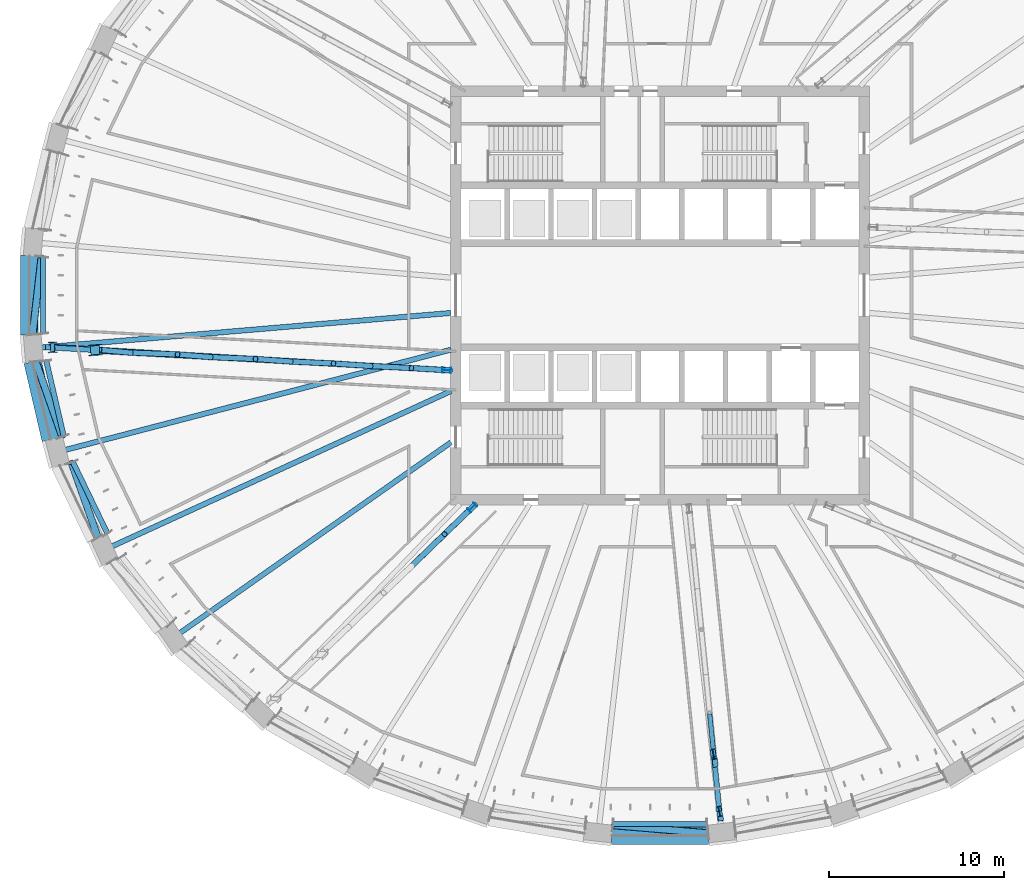
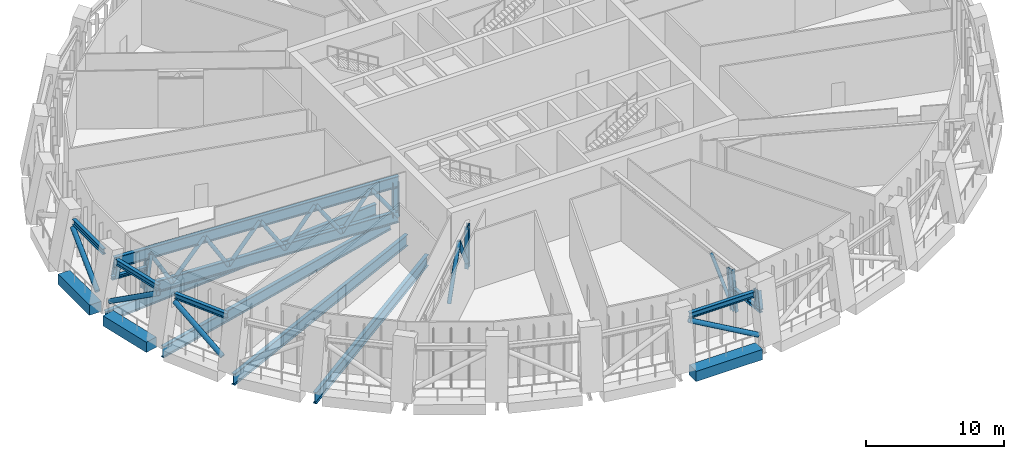
# One storey, part 2 of 22: 30 members, 7 beams.
"""IFC4 building model written with IfcOpenShell, lengths in metres."""

import ifcopenshell
import ifcopenshell.guid

model = None  # the IFC model being written
_history = None  # IfcOwnerHistory: only IFC2X3 demands one
_inside = {}  # id of a spatial element -> (the spatial element, [elements in it])
_under = {}  # id of a project, library or spatial element -> (it, [spatial elements below it])
_declared = {}  # id of a project -> (the project, [libraries it declares])
_typed = {}  # id of a type object -> (the type object, [elements of that type])
_made_of = {}  # id of a material, layer set ... -> (it, [elements and type objects made of it])


def new_model(schema):
    """Start an empty IFC model of exactly this schema.

    Asked for "IFC4X3", IfcOpenShell would pick the latest addendum, in which some entities
    have other attributes; the version numbers below select the first issue.
    IFC2X3 requires an IfcOwnerHistory on every rooted entity: one is made here for all.
    """
    global model, _history
    if schema == "IFC4X3":
        model = ifcopenshell.file(schema_version=(4, 3, 0, 0))
    else:
        model = ifcopenshell.file(schema=schema)
    _inside.clear()
    _under.clear()
    _declared.clear()
    _typed.clear()
    _made_of.clear()
    _history = None
    if model.schema == "IFC2X3":
        org = make("IfcOrganization", Name="unknown")
        user = make(
            "IfcPersonAndOrganization",
            ThePerson=make("IfcPerson", FamilyName="unknown"),
            TheOrganization=org,
        )
        app = make(
            "IfcApplication",
            ApplicationDeveloper=org,
            Version="unknown",
            ApplicationFullName="unknown",
            ApplicationIdentifier="unknown",
        )
        _history = make(
            "IfcOwnerHistory",
            OwningUser=user,
            OwningApplication=app,
            ChangeAction="ADDED",
            CreationDate=0,
        )
    return model


def make(cls, **values):
    """One entity of the class cls with the attributes given. An attribute that is None is left unset."""
    return model.create_entity(
        cls, **{name: value for name, value in values.items() if value is not None}
    )


def rooted(cls, **values):
    """An entity with a GlobalId (a new one), such as an element, a storey or a relation."""
    return make(cls, GlobalId=ifcopenshell.guid.new(), OwnerHistory=_history, **values)


def si_unit(unit_type, name, prefix=None):
    """IfcSIUnit, for example si_unit("LENGTHUNIT", "METRE", prefix="MILLI")."""
    return make("IfcSIUnit", UnitType=unit_type, Prefix=prefix, Name=name)


def assignment(units):
    """IfcUnitAssignment: the units of a project."""
    return None if units is None else make("IfcUnitAssignment", Units=units)


def point(xyz):
    """IfcCartesianPoint."""
    return None if xyz is None else make("IfcCartesianPoint", Coordinates=xyz)


def direction(xyz):
    """IfcDirection."""
    return None if xyz is None else make("IfcDirection", DirectionRatios=xyz)


def frame(location, z_axis=None, x_axis=None):
    """IfcAxis2Placement3D, a coordinate frame: its origin and axes. An axis left out is left unset."""
    return make(
        "IfcAxis2Placement3D",
        Location=point(location),
        Axis=direction(z_axis),
        RefDirection=direction(x_axis),
    )


def frame_2d(location, x_axis=None):
    """IfcAxis2Placement2D, a coordinate frame in the plane: its origin and x axis."""
    return make(
        "IfcAxis2Placement2D", Location=point(location), RefDirection=direction(x_axis)
    )


def origin():
    """The frame at (0, 0, 0) with its axes left unset."""
    return frame((0.0, 0.0, 0.0))


def origin_2d():
    """The frame at (0, 0) in the plane with its x axis left unset."""
    return frame_2d((0.0, 0.0))


def place(relative_to, where):
    """IfcLocalPlacement: puts the frame where relative to a parent placement (None: the world)."""
    return make(
        "IfcLocalPlacement", PlacementRelTo=relative_to, RelativePlacement=where
    )


def context(
    kind, dimensions, precision=None, world=None, true_north=None, identifier=None
):
    """IfcGeometricRepresentationContext, for example the 3D "Model" context."""
    return make(
        "IfcGeometricRepresentationContext",
        ContextIdentifier=identifier,
        ContextType=kind,
        CoordinateSpaceDimension=dimensions,
        Precision=precision,
        WorldCoordinateSystem=world,
        TrueNorth=true_north,
    )


def subcontext(parent, identifier, kind, view, scale=None):
    """IfcGeometricRepresentationSubContext, for example "Body" below "Model"."""
    return make(
        "IfcGeometricRepresentationSubContext",
        ContextIdentifier=identifier,
        ContextType=kind,
        ParentContext=parent,
        TargetScale=scale,
        TargetView=view,
    )


def project(units=None, contexts=None):
    """IfcProject with its units and contexts."""
    return rooted(
        "IfcProject",
        Name="project",
        RepresentationContexts=contexts,
        UnitsInContext=assignment(units),
    )


def spatial(cls, under=None, at=None, **own):
    """A site, building, storey or space (cls), placed at a placement, below another one or the project."""
    s = rooted(cls, ObjectPlacement=at, **own)
    if under is not None:
        _under.setdefault(under.id(), (under, []))[1].append(s)
    return s


def profile(cls, at=None, kind="AREA", **sizes):
    """A parametric profile (cls). Its sizes go by their IFC names, for example OverallWidth=200.0."""
    return make(cls, ProfileType=kind, Position=at, **sizes)


def rectangle(**sizes):
    """IfcRectangleProfileDef."""
    return profile("IfcRectangleProfileDef", **sizes)


def hollow_circle(**sizes):
    """IfcCircleHollowProfileDef."""
    return profile("IfcCircleHollowProfileDef", **sizes)


def i_section(**sizes):
    """IfcIShapeProfileDef."""
    return profile("IfcIShapeProfileDef", **sizes)


def extrude(swept, where, along, depth):
    """IfcExtrudedAreaSolid: the profile swept, set in the frame where, extruded along a direction by depth."""
    return make(
        "IfcExtrudedAreaSolid",
        SweptArea=swept,
        Position=where,
        ExtrudedDirection=direction(along),
        Depth=depth,
    )


def shape(context_of_items, identifier, shape_type, items):
    """IfcShapeRepresentation: the items that make up one representation, for example the "Body"."""
    return make(
        "IfcShapeRepresentation",
        ContextOfItems=context_of_items,
        RepresentationIdentifier=identifier,
        RepresentationType=shape_type,
        Items=items,
    )


def material(Name=None, Category=None):
    """IfcMaterial."""
    return make("IfcMaterial", Name=Name, Category=Category)


def material_profile(
    of_material, cross_section, Name=None, Category=None, Priority=None
):
    """IfcMaterialProfile: a cross section and its material."""
    return make(
        "IfcMaterialProfile",
        Name=Name,
        Material=of_material,
        Profile=cross_section,
        Priority=Priority,
        Category=Category,
    )


def profile_set(profiles, Name=None, composite=None):
    """IfcMaterialProfileSet."""
    return make(
        "IfcMaterialProfileSet",
        Name=Name,
        MaterialProfiles=profiles,
        CompositeProfile=composite,
    )


def made_of(thing, what):
    """Note that an element or type object is made of a material, layer set ...; save() writes the relation."""
    if what is not None:
        _made_of.setdefault(what.id(), (what, []))[1].append(thing)
    return thing


def type_object(cls, material=None, **own):
    """A type object (cls), such as IfcWallType, which elements share."""
    return made_of(rooted(cls, **own), material)


def element(
    cls,
    number,
    at=None,
    inside=None,
    cuts=None,
    type_object=None,
    material=None,
    context=None,
    identifier="Body",
    shape_type=None,
    held_by="IfcProductDefinitionShape",
    body=None,
    shapes=None,
    **own,
):
    """One element of the class cls, such as IfcWall. Its Tag is "e" and its number.

    at: its placement. inside: the storey or other place that contains it. cuts: it is an
    opening in that element (IfcRelVoidsElement). A single representation is given by context,
    identifier, shape_type and body (its items); several are given by shapes. held_by: the class
    of the entity that holds the representations. save() writes the other relations.
    """
    e = rooted(cls, Tag="e%d" % number, ObjectPlacement=at, **own)
    if body is not None:
        shapes = [shape(context, identifier, shape_type, body)]
    if shapes is not None:
        e.Representation = make(held_by, Representations=shapes)
    if inside is not None:
        _inside.setdefault(inside.id(), (inside, []))[1].append(e)
    if cuts is not None:
        rooted(
            "IfcRelVoidsElement", RelatingBuildingElement=cuts, RelatedOpeningElement=e
        )
    if type_object is not None:
        _typed.setdefault(type_object.id(), (type_object, []))[1].append(e)
    return made_of(e, material)


def aggregate(whole, parts):
    """IfcRelAggregates: a whole, such as a stair, and the parts it consists of."""
    return rooted("IfcRelAggregates", RelatingObject=whole, RelatedObjects=parts)


def save(model, path):
    """Write the relations noted so far, then the file.

    IfcRelAggregates (storeys below a building ...), IfcRelContainedInSpatialStructure (elements
    in a storey), IfcRelDefinesByType, IfcRelAssociatesMaterial and IfcRelDeclares: one each for
    every whole, place, type object, material and project.
    """
    for whole, parts in _under.values():
        aggregate(whole, parts)
    for where, things in _inside.values():
        rooted(
            "IfcRelContainedInSpatialStructure",
            RelatedElements=things,
            RelatingStructure=where,
        )
    for kind, things in _typed.values():
        rooted("IfcRelDefinesByType", RelatedObjects=things, RelatingType=kind)
    for what, things in _made_of.values():
        rooted("IfcRelAssociatesMaterial", RelatedObjects=things, RelatingMaterial=what)
    for by, libraries in _declared.values():
        rooted("IfcRelDeclares", RelatingContext=by, RelatedDefinitions=libraries)
    model.write(path)


model = new_model("IFC4")

# Units and contexts
model_context = context("Model", 3, precision=1e-05, world=origin(), true_north=direction((0.0, 1.0)))
body_context = subcontext(model_context, "Body", "Model", "MODEL_VIEW")
ifc_project = project(units=[si_unit("LENGTHUNIT", "METRE"), si_unit("AREAUNIT", "SQUARE_METRE"), si_unit("VOLUMEUNIT", "CUBIC_METRE"), si_unit("PLANEANGLEUNIT", "RADIAN"), si_unit("MASSUNIT", "GRAM", prefix="KILO")], contexts=[model_context])

# Site, building, storey
site_placement = place(None, origin())
site = spatial("IfcSite", under=ifc_project, at=site_placement, CompositionType="ELEMENT")
building_placement = place(site_placement, origin())
building = spatial("IfcBuilding", under=site, at=building_placement, Name="Halqa Exchange Tower", CompositionType="ELEMENT")
storey_placement = place(building_placement, frame((0.0, 0.0, 99.10009765625)))
storey = spatial("IfcBuildingStorey", under=building, at=storey_placement, Name="L22", CompositionType="ELEMENT", Elevation=99.10009765625)

# Members
ifc_material_1 = material(Name="Steel S355", Category="steel")
ifc_material_profile_1 = material_profile(ifc_material_1, i_section(OverallWidth=0.300048828125, OverallDepth=0.5, WebThickness=0.014404296875, FlangeThickness=0.028076171875, FilletRadius=0.027099609375, at=origin_2d()), Name="HEB 500")
ifc_profile_set_1 = profile_set([ifc_material_profile_1], Name="Steel S355")
member_type_1 = type_object("IfcMemberType", Name="Belt truss chord HEB 500", PredefinedType="CHORD", material=ifc_profile_set_1)
member_1_placement = place(storey_placement, frame((-35.33154296875, 2.20458984375, 4.25), z_axis=(0.0, -1.0, 0.0), x_axis=(1.0, 0.0, 0.0)))
element("IfcMember", 1, at=member_1_placement, inside=storey, type_object=member_type_1, Name="Belt chord 16", PredefinedType="CHORD", context=body_context, shape_type="SweptSolid", body=[
    extrude(i_section(OverallWidth=0.300048828125, OverallDepth=0.5, WebThickness=0.014404296875, FlangeThickness=0.028076171875, FilletRadius=0.027099609375, at=origin_2d()), origin(), (0.0, 0.0, 1.0), 4.4091796875),
])
member_2_placement = place(storey_placement, frame((-35.15576171875, -3.740478515625, 4.25), z_axis=(0.226097177995, -0.974104751093, 0.0), x_axis=(0.974104751093, 0.226097177995, 0.0)))
element("IfcMember", 2, at=member_2_placement, inside=storey, type_object=member_type_1, Name="Belt chord 17", PredefinedType="CHORD", context=body_context, shape_type="SweptSolid", body=[
    extrude(i_section(OverallWidth=0.300048828125, OverallDepth=0.5, WebThickness=0.014404296875, FlangeThickness=0.028076171875, FilletRadius=0.027099609375, at=origin_2d()), origin(), (0.0, 0.0, 1.0), 4.450927734375),
])
member_3_placement = place(storey_placement, frame((-33.6357421875, -9.533203125, 4.25), z_axis=(0.435115224416, -0.900374778346, 0.0), x_axis=(0.900374778346, 0.435115224416, 0.0)))
element("IfcMember", 3, at=member_3_placement, inside=storey, type_object=member_type_1, Name="Belt chord 18", PredefinedType="CHORD", context=body_context, shape_type="SweptSolid", body=[
    extrude(i_section(OverallWidth=0.300048828125, OverallDepth=0.5, WebThickness=0.014404296875, FlangeThickness=0.028076171875, FilletRadius=0.027099609375, at=origin_2d()), origin(), (0.0, 0.0, 1.0), 4.56787109375),
])
member_4_placement = place(storey_placement, frame((-2.704833984375, -30.2841796875, 4.25), z_axis=(1.0, 0.0, 0.0), x_axis=(0.0, 1.0, 0.0)))
element("IfcMember", 4, at=member_4_placement, inside=storey, type_object=member_type_1, Name="Belt chord 24", PredefinedType="CHORD", context=body_context, shape_type="SweptSolid", body=[
    extrude(i_section(OverallWidth=0.300048828125, OverallDepth=0.5, WebThickness=0.014404296875, FlangeThickness=0.028076171875, FilletRadius=0.027099609375, at=origin_2d()), origin(), (0.0, 0.0, 1.0), 5.40966796875),
])
ifc_material_profile_2 = material_profile(ifc_material_1, hollow_circle(Radius=0.203125, WallThickness=0.02490234375, at=origin_2d()), Name="CHS 406.4x25")
ifc_profile_set_2 = profile_set([ifc_material_profile_2], Name="Steel S355")
member_type_2 = type_object("IfcMemberType", Name="Belt truss diagonal CHS 406.4x25", PredefinedType="BRACE", material=ifc_profile_set_2)
member_5_placement = place(storey_placement, frame((-35.41943359375, 2.2158203125, 3.7724609375), z_axis=(-0.096954747787, -0.844950705368, -0.525982967766), x_axis=(0.993480978209, -0.113998008477, 0.0)))
element("IfcMember", 5, at=member_5_placement, inside=storey, type_object=member_type_2, Name="Belt diagonal 16", PredefinedType="BRACE", context=body_context, shape_type="SweptSolid", body=[
    extrude(hollow_circle(Radius=0.203125, WallThickness=0.02490234375, at=origin_2d()), origin(), (0.0, 0.0, 1.0), 5.29052734375),
])
member_6_placement = place(storey_placement, frame((-35.75830078125, -3.78857421875, 0.983642578125), z_axis=(0.284643851604, -0.804693401744, 0.52100518897), x_axis=(0.942756831378, 0.333480969308, 0.0)))
element("IfcMember", 6, at=member_6_placement, inside=storey, type_object=member_type_2, Name="Belt diagonal 17", PredefinedType="BRACE", context=body_context, shape_type="SweptSolid", body=[
    extrude(hollow_circle(Radius=0.203125, WallThickness=0.02490234375, at=origin_2d()), origin(), (0.0, 0.0, 1.0), 5.364990234375),
])
member_7_placement = place(storey_placement, frame((-33.716064453125, -9.561279296875, 3.77880859375), z_axis=(0.284916369699, -0.804616929726, -0.520974335909), x_axis=(0.942646441403, 0.333792879658, 0.0)))
element("IfcMember", 7, at=member_7_placement, inside=storey, type_object=member_type_2, Name="Belt diagonal 18", PredefinedType="BRACE", context=body_context, shape_type="SweptSolid", body=[
    extrude(hollow_circle(Radius=0.203125, WallThickness=0.02490234375, at=origin_2d()), origin(), (0.0, 0.0, 1.0), 5.36669921875),
])
member_8_placement = place(storey_placement, frame((-2.710693359375, -30.348876953125, 3.83935546875), z_axis=(0.879838837222, -0.074189102417, -0.469446053981), x_axis=(0.084023064821, 0.996463809969, 0.0)))
element("IfcMember", 8, at=member_8_placement, inside=storey, type_object=member_type_2, Name="Belt diagonal 24", PredefinedType="BRACE", context=body_context, shape_type="SweptSolid", body=[
    extrude(hollow_circle(Radius=0.203125, WallThickness=0.02490234375, at=origin_2d()), origin(), (0.0, 0.0, 1.0), 6.22607421875),
])

# Beams
ifc_material_profile_3 = material_profile(ifc_material_1, i_section(OverallWidth=0.300048828125, OverallDepth=0.989990234375, WebThickness=0.0166015625, FlangeThickness=0.031005859375, FilletRadius=0.030029296875, at=origin_2d()), Name="HEA 1000")
ifc_profile_set_3 = profile_set([ifc_material_profile_3], Name="Steel S355")
beam_type_1 = type_object("IfcBeamType", Name="Floor beam HEA 1000", PredefinedType="BEAM", material=ifc_profile_set_3)
beam_1_placement = place(storey_placement, frame((-11.972412109375, -8.421875, -0.84521484375), z_axis=(-0.817909909025, -0.575346313727, 0.0), x_axis=(0.575346313727, -0.817909909025, 0.0)))
element("IfcBeam", 9, at=beam_1_placement, inside=storey, type_object=beam_type_1, Name="Radial beam 20", PredefinedType="BEAM", context=body_context, shape_type="SweptSolid", body=[
    extrude(i_section(OverallWidth=0.300048828125, OverallDepth=0.989990234375, WebThickness=0.0166015625, FlangeThickness=0.031005859375, FilletRadius=0.030029296875, at=origin_2d()), origin(), (0.0, 0.0, 1.0), 19.283447265625),
])
ifc_material_profile_4 = material_profile(ifc_material_1, i_section(OverallWidth=0.300048828125, OverallDepth=1.0, WebThickness=0.01904296875, FlangeThickness=0.035888671875, FilletRadius=0.030029296875, at=origin_2d()), Name="HEB 1000")
ifc_profile_set_4 = profile_set([ifc_material_profile_4], Name="Steel S355")
beam_type_2 = type_object("IfcBeamType", Name="Floor beam HEB 1000", PredefinedType="BEAM", material=ifc_profile_set_4)
beam_2_placement = place(storey_placement, frame((-11.972412109375, -1.0107421875, -0.85009765625), z_axis=(-0.996455472254, -0.084121886657, 0.0), x_axis=(0.084121886657, -0.996455472254, 0.0)))
element("IfcBeam", 10, at=beam_2_placement, inside=storey, type_object=beam_type_2, Name="Radial beam 17", PredefinedType="BEAM", context=body_context, shape_type="SweptSolid", body=[
    extrude(i_section(OverallWidth=0.300048828125, OverallDepth=1.0, WebThickness=0.01904296875, FlangeThickness=0.035888671875, FilletRadius=0.030029296875, at=origin_2d()), origin(), (0.0, 0.0, 1.0), 23.856201171875),
])
beam_3_placement = place(storey_placement, frame((-11.97119140625, -3.11279296875, -0.85009765625), z_axis=(-0.967821221956, -0.251638793376, 0.0), x_axis=(0.251638793376, -0.967821221956, 0.0)))
element("IfcBeam", 11, at=beam_3_placement, inside=storey, type_object=beam_type_2, Name="Radial beam 18", PredefinedType="BEAM", context=body_context, shape_type="SweptSolid", body=[
    extrude(i_section(OverallWidth=0.300048828125, OverallDepth=1.0, WebThickness=0.01904296875, FlangeThickness=0.035888671875, FilletRadius=0.030029296875, at=origin_2d()), origin(), (0.0, 0.0, 1.0), 23.138427734375),
])
beam_4_placement = place(storey_placement, frame((-11.972412109375, -5.485107421875, -0.85009765625), z_axis=(-0.909124765465, -0.416523901857, 0.0), x_axis=(0.416523901857, -0.909124765465, 0.0)))
element("IfcBeam", 12, at=beam_4_placement, inside=storey, type_object=beam_type_2, Name="Radial beam 19", PredefinedType="BEAM", context=body_context, shape_type="SweptSolid", body=[
    extrude(i_section(OverallWidth=0.300048828125, OverallDepth=1.0, WebThickness=0.01904296875, FlangeThickness=0.035888671875, FilletRadius=0.030029296875, at=origin_2d()), origin(), (0.0, 0.0, 1.0), 21.658447265625),
])

# Members
ifc_material_profile_5 = material_profile(ifc_material_1, i_section(OverallWidth=0.302001953125, OverallDepth=1.008056640625, WebThickness=0.02099609375, FlangeThickness=0.0400390625, FilletRadius=0.030029296875, at=origin_2d()), Name="HEM 1000")
ifc_profile_set_5 = profile_set([ifc_material_profile_5], Name="Steel S355")
member_type_3 = type_object("IfcMemberType", Name="Outrigger chord HEM 1000", PredefinedType="CHORD", material=ifc_profile_set_5)
member_9_placement = place(storey_placement, frame((-11.97314453125, -4.301513671875, 0.50390625), z_axis=(-0.998480371134, 0.055108515312, 0.0), x_axis=(-0.055108515312, -0.998480371134, 0.0)))
element("IfcMember", 13, at=member_9_placement, inside=storey, type_object=member_type_3, Name="Outrigger 5 chord", PredefinedType="CHORD", context=body_context, shape_type="SweptSolid", body=[
    extrude(i_section(OverallWidth=0.302001953125, OverallDepth=1.008056640625, WebThickness=0.02099609375, FlangeThickness=0.0400390625, FilletRadius=0.030029296875, at=origin_2d()), origin(), (0.0, 0.0, 1.0), 20.6845703125),
])
member_10_placement = place(storey_placement, frame((-11.97314453125, -4.301513671875, 3.60595703125), z_axis=(-0.998283059748, 0.058574163415, 0.0), x_axis=(-0.058574163415, -0.998283059748, 0.0)))
element("IfcMember", 14, at=member_10_placement, inside=storey, type_object=member_type_3, Name="Outrigger 5 chord", PredefinedType="CHORD", context=body_context, shape_type="SweptSolid", body=[
    extrude(i_section(OverallWidth=0.302001953125, OverallDepth=1.008056640625, WebThickness=0.02099609375, FlangeThickness=0.0400390625, FilletRadius=0.030029296875, at=origin_2d()), origin(), (0.0, 0.0, 1.0), 23.036865234375),
])
ifc_material_profile_6 = material_profile(ifc_material_1, hollow_circle(Radius=0.136474609375, WallThickness=0.01611328125, at=origin_2d()), Name="CHS 273x16")
ifc_profile_set_6 = profile_set([ifc_material_profile_6], Name="Steel S355")
member_type_4 = type_object("IfcMemberType", Name="Outrigger diagonal CHS 273x16", PredefinedType="BRACE", material=ifc_profile_set_6)
member_11_placement = place(storey_placement, frame((2.837158203125, -23.904541015625, 3.93994140625), z_axis=(0.063697143758, -0.623564346458, -0.77917275344), x_axis=(0.994823160043, 0.101621258814, 0.0)))
element("IfcMember", 15, at=member_11_placement, inside=storey, type_object=member_type_4, Name="Outrigger 7 diagonal", PredefinedType="BRACE", context=body_context, shape_type="SweptSolid", body=[
    extrude(hollow_circle(Radius=0.136474609375, WallThickness=0.01611328125, at=origin_2d()), origin(), (0.0, 0.0, 1.0), 4.5341796875),
])
ifc_material_profile_7 = material_profile(ifc_material_1, hollow_circle(Radius=0.161865234375, WallThickness=0.01611328125, at=origin_2d()), Name="CHS 323.9x16")
ifc_profile_set_7 = profile_set([ifc_material_profile_7], Name="Steel S355")
member_type_5 = type_object("IfcMemberType", Name="Outrigger diagonal CHS 323.9x16", PredefinedType="BRACE", material=ifc_profile_set_7)
member_12_placement = place(storey_placement, frame((-12.0, -4.300048828125, 0.50390625), z_axis=(-0.583905819, 0.034279810299, 0.811097336418), x_axis=(-0.058606862632, -0.998281140587, 0.0)))
element("IfcMember", 16, at=member_12_placement, inside=storey, type_object=member_type_5, Name="Outrigger 5 diagonal", PredefinedType="BRACE", context=body_context, shape_type="SweptSolid", body=[
    extrude(hollow_circle(Radius=0.161865234375, WallThickness=0.01611328125, at=origin_2d()), origin(), (0.0, 0.0, 1.0), 3.824462890625),
])
member_13_placement = place(storey_placement, frame((-14.233154296875, -4.1689453125, 3.60595703125), z_axis=(-0.602654903645, 0.031252956578, -0.797389691317), x_axis=(-0.051789201641, -0.998658038867, 0.0)))
element("IfcMember", 17, at=member_13_placement, inside=storey, type_object=member_type_5, Name="Outrigger 5 diagonal", PredefinedType="BRACE", context=body_context, shape_type="SweptSolid", body=[
    extrude(hollow_circle(Radius=0.161865234375, WallThickness=0.01611328125, at=origin_2d()), origin(), (0.0, 0.0, 1.0), 3.89013671875),
])
member_14_placement = place(storey_placement, frame((-16.57763671875, -4.04736328125, 0.50390625), z_axis=(-0.564220623442, 0.037324765126, 0.824779940342), x_axis=(-0.066008508925, -0.997819060125, 0.0)))
element("IfcMember", 18, at=member_14_placement, inside=storey, type_object=member_type_5, Name="Outrigger 5 diagonal", PredefinedType="BRACE", context=body_context, shape_type="SweptSolid", body=[
    extrude(hollow_circle(Radius=0.161865234375, WallThickness=0.01611328125, at=origin_2d()), origin(), (0.0, 0.0, 1.0), 3.760986328125),
])
member_15_placement = place(storey_placement, frame((-18.69970703125, -3.906982421875, 3.60595703125), z_axis=(-0.620418263726, 0.028374667062, -0.783757651512), x_axis=(-0.045686982515, -0.998955804642, 0.0)))
element("IfcMember", 19, at=member_15_placement, inside=storey, type_object=member_type_5, Name="Outrigger 5 diagonal", PredefinedType="BRACE", context=body_context, shape_type="SweptSolid", body=[
    extrude(hollow_circle(Radius=0.161865234375, WallThickness=0.01611328125, at=origin_2d()), origin(), (0.0, 0.0, 1.0), 3.9580078125),
])
member_16_placement = place(storey_placement, frame((-21.1552734375, -3.794677734375, 0.50390625), z_axis=(-0.543524592357, 0.040515248234, 0.838414892618), x_axis=(-0.074335466941, -0.99723329184, 0.0)))
element("IfcMember", 20, at=member_16_placement, inside=storey, type_object=member_type_5, Name="Outrigger 5 diagonal", PredefinedType="BRACE", context=body_context, shape_type="SweptSolid", body=[
    extrude(hollow_circle(Radius=0.161865234375, WallThickness=0.01611328125, at=origin_2d()), origin(), (0.0, 0.0, 1.0), 3.699951171875),
])
member_17_placement = place(storey_placement, frame((-23.166259765625, -3.644775390625, 3.60595703125), z_axis=(-0.637276939382, 0.025520174211, -0.770212193645), x_axis=(-0.040013586621, -0.999199135751, 0.0)))
element("IfcMember", 21, at=member_17_placement, inside=storey, type_object=member_type_5, Name="Outrigger 5 diagonal", PredefinedType="BRACE", context=body_context, shape_type="SweptSolid", body=[
    extrude(hollow_circle(Radius=0.161865234375, WallThickness=0.01611328125, at=origin_2d()), origin(), (0.0, 0.0, 1.0), 4.027587890625),
])
member_18_placement = place(storey_placement, frame((-25.73291015625, -3.5419921875, 0.50390625), z_axis=(-0.521791994622, 0.043717345219, 0.851951822626), x_axis=(-0.08349056619, -0.996508567629, 0.0)))
element("IfcMember", 22, at=member_18_placement, inside=storey, type_object=member_type_5, Name="Outrigger 5 diagonal", PredefinedType="BRACE", context=body_context, shape_type="SweptSolid", body=[
    extrude(hollow_circle(Radius=0.161865234375, WallThickness=0.01611328125, at=origin_2d()), origin(), (0.0, 0.0, 1.0), 3.64111328125),
])
member_19_placement = place(storey_placement, frame((-27.6328125, -3.3828125, 3.60595703125), z_axis=(-0.653266779339, 0.022811923458, -0.756784071688), x_axis=(-0.034898495636, -0.999390861977, 0.0)))
element("IfcMember", 23, at=member_19_placement, inside=storey, type_object=member_type_5, Name="Outrigger 5 diagonal", PredefinedType="BRACE", context=body_context, shape_type="SweptSolid", body=[
    extrude(hollow_circle(Radius=0.161865234375, WallThickness=0.01611328125, at=origin_2d()), origin(), (0.0, 0.0, 1.0), 4.098876953125),
])
member_20_placement = place(storey_placement, frame((-30.310546875, -3.289306640625, 0.50390625), z_axis=(-0.498944699939, 0.047061259577, 0.865355085644), x_axis=(-0.093904804258, -0.995581180887, 0.0)))
element("IfcMember", 24, at=member_20_placement, inside=storey, type_object=member_type_5, Name="Outrigger 5 diagonal", PredefinedType="BRACE", context=body_context, shape_type="SweptSolid", body=[
    extrude(hollow_circle(Radius=0.161865234375, WallThickness=0.01611328125, at=origin_2d()), origin(), (0.0, 0.0, 1.0), 3.584716796875),
])
member_21_placement = place(storey_placement, frame((-10.60009765625, -12.0, 0.2998046875), z_axis=(-0.390508490831, -0.376661448339, 0.840017423584), x_axis=(0.694230773615, -0.719752480347, 0.0)))
element("IfcMember", 25, at=member_21_placement, inside=storey, type_object=member_type_5, Name="Outrigger 6 diagonal", PredefinedType="BRACE", context=body_context, shape_type="SweptSolid", body=[
    extrude(hollow_circle(Radius=0.161865234375, WallThickness=0.01611328125, at=origin_2d()), origin(), (0.0, 0.0, 1.0), 4.460693359375),
])
member_22_placement = place(storey_placement, frame((-12.342041015625, -13.68017578125, 4.046875), z_axis=(-0.410379151314, -0.398084348031, -0.82043756863), x_axis=(0.696272862637, -0.717777194369, 0.0)))
element("IfcMember", 26, at=member_22_placement, inside=storey, type_object=member_type_5, Name="Outrigger 6 diagonal", PredefinedType="BRACE", context=body_context, shape_type="SweptSolid", body=[
    extrude(hollow_circle(Radius=0.161865234375, WallThickness=0.01611328125, at=origin_2d()), origin(), (0.0, 0.0, 1.0), 4.567138671875),
])
ifc_material_profile_8 = material_profile(ifc_material_1, i_section(OverallWidth=0.300048828125, OverallDepth=0.300048828125, WebThickness=0.010986328125, FlangeThickness=0.01904296875, FilletRadius=0.027099609375, at=origin_2d()), Name="HEB 300")
ifc_profile_set_8 = profile_set([ifc_material_profile_8], Name="Steel S355")
member_type_6 = type_object("IfcMemberType", Name="Outrigger opening chord HEB 300", PredefinedType="CHORD", material=ifc_profile_set_8)
member_23_placement = place(storey_placement, frame((-32.3017578125, -3.1376953125, 2.349853515625), z_axis=(-0.998365585063, 0.057150315502, 0.0), x_axis=(-0.057150315502, -0.998365585063, 0.0)))
element("IfcMember", 27, at=member_23_placement, inside=storey, type_object=member_type_6, Name="Outrigger 5 opening chord", PredefinedType="CHORD", context=body_context, shape_type="SweptSolid", body=[
    extrude(i_section(OverallWidth=0.300048828125, OverallDepth=0.300048828125, WebThickness=0.010986328125, FlangeThickness=0.01904296875, FilletRadius=0.027099609375, at=origin_2d()), origin(), (0.0, 0.0, 1.0), 2.90478515625),
])
member_24_placement = place(storey_placement, frame((3.09765625, -26.486572265625, 2.349853515625), z_axis=(0.099477153313, -0.995039846423, 0.0), x_axis=(0.995039846423, 0.099477153313, 0.0)))
element("IfcMember", 28, at=member_24_placement, inside=storey, type_object=member_type_6, Name="Outrigger 7 opening chord", PredefinedType="CHORD", context=body_context, shape_type="SweptSolid", body=[
    extrude(i_section(OverallWidth=0.300048828125, OverallDepth=0.300048828125, WebThickness=0.010986328125, FlangeThickness=0.01904296875, FilletRadius=0.027099609375, at=origin_2d()), origin(), (0.0, 0.0, 1.0), 3.6396484375),
])
ifc_material_profile_9 = material_profile(ifc_material_1, i_section(OverallWidth=0.300048828125, OverallDepth=0.5, WebThickness=0.014404296875, FlangeThickness=0.028076171875, FilletRadius=0.027099609375, at=origin_2d()), Name="HEB 500")
ifc_profile_set_9 = profile_set([ifc_material_profile_9], Name="Steel S355")
member_type_7 = type_object("IfcMemberType", Name="Outrigger post HEB 500", PredefinedType="POST", material=ifc_profile_set_9)
member_25_placement = place(storey_placement, frame((-12.2216796875, -4.287841796875, 0.50390625), z_axis=(0.0, 0.0, 1.0), x_axis=(-0.054671347017, -0.998504403503, 0.0)))
element("IfcMember", 29, at=member_25_placement, inside=storey, type_object=member_type_7, Name="Outrigger 5 post", PredefinedType="POST", context=body_context, shape_type="SweptSolid", body=[
    extrude(i_section(OverallWidth=0.300048828125, OverallDepth=0.5, WebThickness=0.014404296875, FlangeThickness=0.028076171875, FilletRadius=0.027099609375, at=origin_2d()), origin(), (0.0, 0.0, 1.0), 3.10205078125),
])
member_26_placement = place(storey_placement, frame((-10.759765625, -12.154541015625, 0.2998046875), z_axis=(0.0, 0.0, 1.0), x_axis=(0.695336023628, -0.718684780864, 0.0)))
element("IfcMember", 30, at=member_26_placement, inside=storey, type_object=member_type_7, Name="Outrigger 6 post", PredefinedType="POST", context=body_context, shape_type="SweptSolid", body=[
    extrude(i_section(OverallWidth=0.300048828125, OverallDepth=0.5, WebThickness=0.014404296875, FlangeThickness=0.028076171875, FilletRadius=0.027099609375, at=origin_2d()), origin(), (0.0, 0.0, 1.0), 3.7470703125),
])
ifc_material_profile_10 = material_profile(ifc_material_1, i_section(OverallWidth=0.300048828125, OverallDepth=0.60009765625, WebThickness=0.015380859375, FlangeThickness=0.030029296875, FilletRadius=0.027099609375, at=origin_2d()), Name="HEB 600")
ifc_profile_set_10 = profile_set([ifc_material_profile_10], Name="Steel S355")
member_type_8 = type_object("IfcMemberType", Name="Outrigger post HEB 600", PredefinedType="POST", material=ifc_profile_set_10)
member_27_placement = place(storey_placement, frame((-32.599365234375, -3.1630859375, 0.50390625), z_axis=(0.159191019268, 0.013518417449, 0.987155241983), x_axis=(0.986769953982, 0.028927865268, -0.159525034178)))
element("IfcMember", 31, at=member_27_placement, inside=storey, type_object=member_type_8, Name="Outrigger 5 post", PredefinedType="POST", context=body_context, shape_type="SweptSolid", body=[
    extrude(i_section(OverallWidth=0.300048828125, OverallDepth=0.60009765625, WebThickness=0.015380859375, FlangeThickness=0.030029296875, FilletRadius=0.027099609375, at=origin_2d()), origin(), (0.0, 0.0, 1.0), 3.142333984375),
])
member_28_placement = place(storey_placement, frame((-34.903564453125, -2.98828125, 2.349853515625), z_axis=(0.181185032411, 0.015289876153, 0.983330160077), x_axis=(0.982979242542, 0.02808616581, -0.181557087501)))
element("IfcMember", 32, at=member_28_placement, inside=storey, type_object=member_type_8, Name="Outrigger 5 post", PredefinedType="POST", context=body_context, shape_type="SweptSolid", body=[
    extrude(i_section(OverallWidth=0.300048828125, OverallDepth=0.60009765625, WebThickness=0.015380859375, FlangeThickness=0.030029296875, FilletRadius=0.027099609375, at=origin_2d()), origin(), (0.0, 0.0, 1.0), 1.27734375),
])
member_29_placement = place(storey_placement, frame((3.1259765625, -26.73193359375, 0.406982421875), z_axis=(-0.014395750718, 0.125380133631, 0.992004326831), x_axis=(-0.977237400476, -0.211775074641, 0.012584946266)))
element("IfcMember", 33, at=member_29_placement, inside=storey, type_object=member_type_8, Name="Outrigger 7 post", PredefinedType="POST", context=body_context, shape_type="SweptSolid", body=[
    extrude(i_section(OverallWidth=0.300048828125, OverallDepth=0.60009765625, WebThickness=0.015380859375, FlangeThickness=0.030029296875, FilletRadius=0.027099609375, at=origin_2d()), origin(), (0.0, 0.0, 1.0), 3.5615234375),
])
member_30_placement = place(storey_placement, frame((3.4296875, -29.810546875, 2.349853515625), z_axis=(-0.017892772792, 0.15603104409, 0.987590077898), x_axis=(-0.977317304742, -0.211200404463, 0.015661258135)))
element("IfcMember", 34, at=member_30_placement, inside=storey, type_object=member_type_8, Name="Outrigger 7 post", PredefinedType="POST", context=body_context, shape_type="SweptSolid", body=[
    extrude(i_section(OverallWidth=0.300048828125, OverallDepth=0.60009765625, WebThickness=0.015380859375, FlangeThickness=0.030029296875, FilletRadius=0.027099609375, at=origin_2d()), origin(), (0.0, 0.0, 1.0), 1.610107421875),
])

# Beams
ifc_material_2 = material(Name="Concrete C60/75", Category="concrete")
ifc_material_profile_11 = material_profile(ifc_material_2, rectangle(XDim=1.0, YDim=0.89990234375, at=origin_2d()), Name="1000 x 900")
ifc_profile_set_11 = profile_set([ifc_material_profile_11], Name="Concrete C60/75")
beam_type_3 = type_object("IfcBeamType", Name="RC spandrel beam 1000 x 900 C60/75", PredefinedType="SPANDREL", material=ifc_profile_set_11)
beam_5_placement = place(storey_placement, frame((-36.11474609375, 2.271484375, -0.4501953125), z_axis=(0.0, -1.0, 0.0), x_axis=(1.0, 0.0, 0.0)))
element("IfcBeam", 35, at=beam_5_placement, inside=storey, type_object=beam_type_3, Name="Spandrel 16", PredefinedType="SPANDREL", context=body_context, shape_type="SweptSolid", body=[
    extrude(rectangle(XDim=1.0, YDim=0.89990234375, at=origin_2d()), origin(), (0.0, 0.0, 1.0), 4.54296875),
])
beam_6_placement = place(storey_placement, frame((-35.939208984375, -3.805908203125, -0.4501953125), z_axis=(0.226091821928, -0.974105994262, 0.0), x_axis=(0.974105994262, 0.226091821928, 0.0)))
element("IfcBeam", 36, at=beam_6_placement, inside=storey, type_object=beam_type_3, Name="Spandrel 17", PredefinedType="SPANDREL", context=body_context, shape_type="SweptSolid", body=[
    extrude(rectangle(XDim=1.0, YDim=0.89990234375, at=origin_2d()), origin(), (0.0, 0.0, 1.0), 4.5859375),
])
beam_7_placement = place(storey_placement, frame((-2.7822265625, -30.95556640625, -0.4501953125), z_axis=(1.0, 0.0, 0.0), x_axis=(0.0, 1.0, 0.0)))
element("IfcBeam", 37, at=beam_7_placement, inside=storey, type_object=beam_type_3, Name="Spandrel 24", PredefinedType="SPANDREL", context=body_context, shape_type="SweptSolid", body=[
    extrude(rectangle(XDim=1.0, YDim=0.89990234375, at=origin_2d()), origin(), (0.0, 0.0, 1.0), 5.564453125),
])

save(model, "model.ifc")
